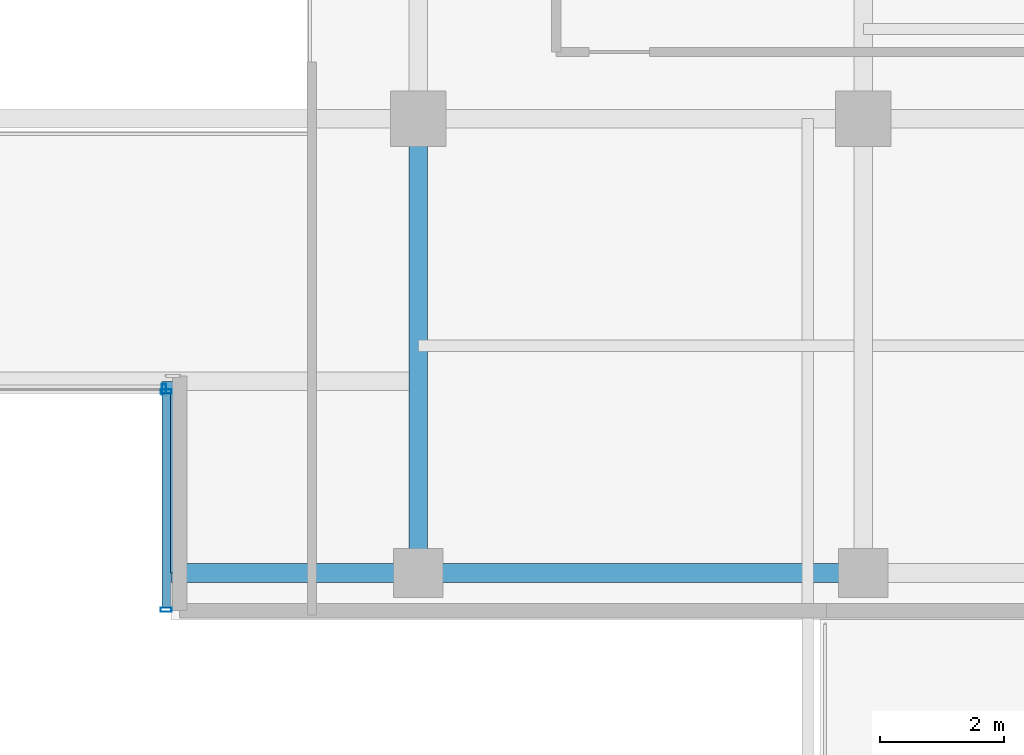
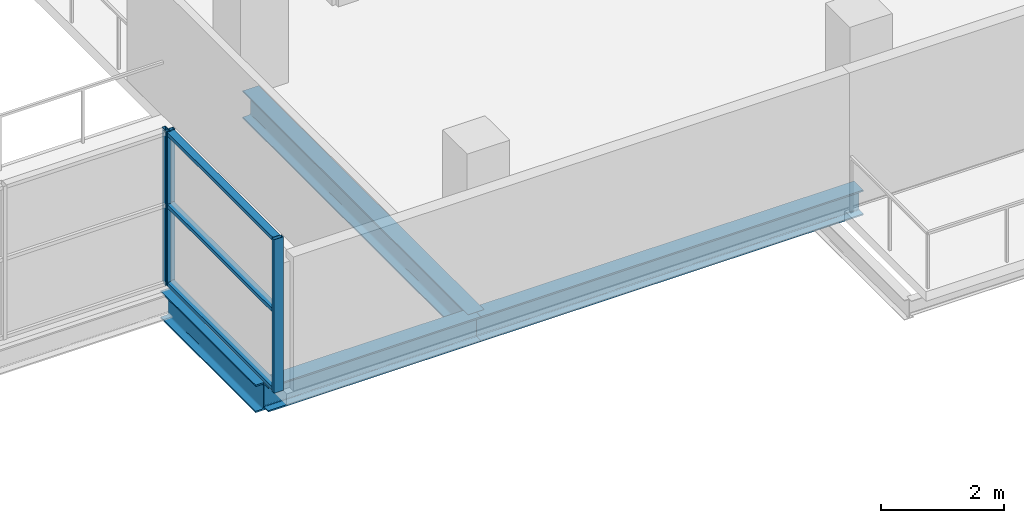
# One storey, part 11 of 25: 6 members, 4 beams, 2 elements without a shape of their own.
"""IFC4 building model written with IfcOpenShell, lengths in metres."""

from ifc_helpers import new_model, si_unit, direction, frame, origin, origin_2d, place, context, subcontext, project, spatial, hollow_rectangle, i_section, extrude, source, transform, mapped, material, layer, layer_set, material_profile, profile_set, type_object, element, aggregate, save


model = new_model("IFC4")

# Units and contexts
model_context = context("Model", 3, precision=1e-05, world=origin(), true_north=direction((0.0, 1.0)))
body_context = subcontext(model_context, "Body", "Model", "MODEL_VIEW")
ifc_project = project(units=[si_unit("LENGTHUNIT", "METRE"), si_unit("AREAUNIT", "SQUARE_METRE"), si_unit("VOLUMEUNIT", "CUBIC_METRE"), si_unit("PLANEANGLEUNIT", "RADIAN"), si_unit("MASSUNIT", "GRAM", prefix="KILO")], contexts=[model_context])

# Site, building, storey
site_placement = place(None, origin())
site = spatial("IfcSite", under=ifc_project, at=site_placement, CompositionType="ELEMENT")
building_placement = place(site_placement, origin())
building = spatial("IfcBuilding", under=site, at=building_placement, Name="Zarnakvel Exchange Tower", CompositionType="ELEMENT")
storey_placement = place(building_placement, frame((0.0, 0.0, 100.0)))
storey = spatial("IfcBuildingStorey", under=building, at=storey_placement, Name="L27", CompositionType="ELEMENT", Elevation=100.0)

# Beams
ifc_material_1 = material(Name="Steel S355", Category="steel")
ifc_material_profile_1 = material_profile(ifc_material_1, i_section(OverallWidth=0.300048828125, OverallDepth=0.550048828125, WebThickness=0.014892578125, FlangeThickness=0.029052734375, FilletRadius=0.027099609375, at=origin_2d()))
ifc_profile_set_1 = profile_set([ifc_material_profile_1], Name="Steel S355")
beam_type_1 = type_object("IfcBeamType", Name="G-05", PredefinedType="BEAM", material=ifc_profile_set_1)
beam_1_placement = place(storey_placement, frame((3.199951171875, -16.949951171875, -0.5), z_axis=(0.0, 1.0, 0.0), x_axis=(-1.0, 0.0, 0.0)))
element("IfcBeam", 1, at=beam_1_placement, inside=storey, type_object=beam_type_1, Name="L27 South Slot East Cheek Beam", PredefinedType="BEAM", context=body_context, shape_type="SweptSolid", body=[
    extrude(i_section(OverallWidth=0.300048828125, OverallDepth=0.550048828125, WebThickness=0.014892578125, FlangeThickness=0.029052734375, FilletRadius=0.027099609375, at=origin_2d()), origin(), (0.0, 0.0, 1.0), 3.099853515625),
])
beam_2_placement = place(storey_placement, frame((7.199951171875, -16.949951171875, -0.5), z_axis=(0.0, 1.0, 0.0), x_axis=(-1.0, 0.0, 0.0)))
element("IfcBeam", 2, at=beam_2_placement, inside=storey, type_object=beam_type_1, Name="L27 Tower N-S Frame Beam", PredefinedType="BEAM", context=body_context, shape_type="SweptSolid", body=[
    extrude(i_section(OverallWidth=0.300048828125, OverallDepth=0.550048828125, WebThickness=0.014892578125, FlangeThickness=0.029052734375, FilletRadius=0.027099609375, at=origin_2d()), origin(), (0.0, 0.0, 1.0), 7.349853515625),
])
ifc_material_profile_2 = material_profile(ifc_material_1, i_section(OverallWidth=0.300048828125, OverallDepth=0.5, WebThickness=0.014404296875, FlangeThickness=0.028076171875, FilletRadius=0.027099609375, at=origin_2d()))
ifc_profile_set_2 = profile_set([ifc_material_profile_2], Name="Steel S355")
beam_type_2 = type_object("IfcBeamType", Name="SP-02", PredefinedType="SPANDREL", material=ifc_profile_set_2)
beam_3_placement = place(storey_placement, frame((3.199951171875, -16.949951171875, -0.47509765625), z_axis=(1.0, 0.0, 0.0), x_axis=(0.0, 1.0, 0.0)))
element("IfcBeam", 3, at=beam_3_placement, inside=storey, type_object=beam_type_2, Name="L27 South Slot East Jamb Spandrel", PredefinedType="SPANDREL", context=body_context, shape_type="SweptSolid", body=[
    extrude(i_section(OverallWidth=0.300048828125, OverallDepth=0.5, WebThickness=0.014404296875, FlangeThickness=0.028076171875, FilletRadius=0.027099609375, at=origin_2d()), origin(), (0.0, 0.0, 1.0), 4.0),
])
beam_4_placement = place(storey_placement, frame((7.199951171875, -16.949951171875, -0.47509765625), z_axis=(1.0, 0.0, 0.0), x_axis=(0.0, 1.0, 0.0)))
element("IfcBeam", 4, at=beam_4_placement, inside=storey, type_object=beam_type_2, Name="L27 Tower E-W Frame Beam", PredefinedType="SPANDREL", context=body_context, shape_type="SweptSolid", body=[
    extrude(i_section(OverallWidth=0.300048828125, OverallDepth=0.5, WebThickness=0.014404296875, FlangeThickness=0.028076171875, FilletRadius=0.027099609375, at=origin_2d()), origin(), (0.0, 0.0, 1.0), 7.199951171875),
])

# Curtain wall, members
ifc_material_2 = material(Name="Architectural Bronze Anodised Aluminium", Category="aluminium")
ifc_layer = layer(ifc_material_2, 0.179931640625)
ifc_layer_set = layer_set([ifc_layer], Name="Architectural Bronze Anodised Aluminium")
curtain_wall_type = type_object("IfcCurtainWallType", Name="CW-05", PredefinedType="NOTDEFINED", material=ifc_layer_set)
curtain_wall_1_placement = place(storey_placement, origin())
curtain_wall_1 = element("IfcCurtainWall", 5, at=curtain_wall_1_placement, inside=storey, type_object=curtain_wall_type, Name="L27 Curtain Wall CW-L27-SLE (CW-05)", PredefinedType="NOTDEFINED")
ifc_material_profile_3 = material_profile(ifc_material_2, hollow_rectangle(XDim=0.139892578125, YDim=0.070068359375, WallThickness=0.00390625, at=origin_2d()))
ifc_profile_set_3 = profile_set([ifc_material_profile_3], Name="Architectural Bronze Anodised Aluminium")
member_type_1 = type_object("IfcMemberType", Name="CWT-05", PredefinedType="USERDEFINED", material=ifc_profile_set_3)
shared_shape_1 = source(origin(), body_context, "Body", "SweptSolid", [
    extrude(hollow_rectangle(XDim=0.139892578125, YDim=0.070068359375, WallThickness=0.00390625, at=origin_2d()), origin(), (0.0, 0.0, 1.0), 3.4599609375),
])
member_1_placement = place(storey_placement, frame((3.1201171875, -14.050048828125, 0.034912109375), z_axis=(0.0, -1.0, 0.0), x_axis=(1.0, 0.0, 0.0)))
member_1 = element("IfcMember", 6, at=member_1_placement, type_object=member_type_1, Name="CW-05 transom 1.1", ObjectType="TRANSOM", PredefinedType="USERDEFINED", context=body_context, shape_type="MappedRepresentation", body=[
    mapped(shared_shape_1, transform((0.0, 0.0, 0.0), x_axis=(1.0, 0.0, 0.0), y_axis=(0.0, 1.0, 0.0), z_axis=(0.0, 0.0, 1.0), scale=1.0)),
])
member_2_placement = place(storey_placement, frame((3.1201171875, -14.050048828125, 1.588623046875), z_axis=(0.0, -1.0, 0.0), x_axis=(1.0, 0.0, 0.0)))
member_2 = element("IfcMember", 7, at=member_2_placement, type_object=member_type_1, Name="CW-05 transom 1.2", ObjectType="TRANSOM", PredefinedType="USERDEFINED", context=body_context, shape_type="MappedRepresentation", body=[
    mapped(shared_shape_1, transform((0.0, 0.0, 0.0), x_axis=(1.0, 0.0, 0.0), y_axis=(0.0, 1.0, 0.0), z_axis=(0.0, 0.0, 1.0), scale=1.0)),
])
member_3_placement = place(storey_placement, frame((3.1201171875, -14.050048828125, 3.02001953125), z_axis=(0.0, -1.0, 0.0), x_axis=(1.0, 0.0, 0.0)))
member_3 = element("IfcMember", 8, at=member_3_placement, type_object=member_type_1, Name="CW-05 transom 1.3", ObjectType="TRANSOM", PredefinedType="USERDEFINED", context=body_context, shape_type="MappedRepresentation", body=[
    mapped(shared_shape_1, transform((0.0, 0.0, 0.0), x_axis=(1.0, 0.0, 0.0), y_axis=(0.0, 1.0, 0.0), z_axis=(0.0, 0.0, 1.0), scale=1.0)),
])

# Curtain wall, member
curtain_wall_2_placement = place(storey_placement, origin())
curtain_wall_2 = element("IfcCurtainWall", 9, at=curtain_wall_2_placement, inside=storey, type_object=curtain_wall_type, Name="L27 Curtain Wall CW-L27-SLB (CW-05)", PredefinedType="NOTDEFINED")
ifc_material_profile_4 = material_profile(ifc_material_2, hollow_rectangle(XDim=0.179931640625, YDim=0.070068359375, WallThickness=0.00390625, at=origin_2d()))
ifc_profile_set_4 = profile_set([ifc_material_profile_4], Name="Architectural Bronze Anodised Aluminium")
member_type_2 = type_object("IfcMemberType", Name="CWM-05", PredefinedType="MULLION", material=ifc_profile_set_4)
shared_shape_2 = source(origin(), body_context, "Body", "SweptSolid", [
    extrude(hollow_rectangle(XDim=0.179931640625, YDim=0.070068359375, WallThickness=0.00390625, at=origin_2d()), origin(), (0.0, 0.0, 1.0), 3.054931640625),
])
member_4_placement = place(storey_placement, frame((3.0849609375, -13.97998046875, 0.0), z_axis=(0.0, 0.0, 1.0), x_axis=(0.0, 1.0, 0.0)))
member_4 = element("IfcMember", 10, at=member_4_placement, type_object=member_type_2, Name="CW-05 mullion 3", PredefinedType="MULLION", context=body_context, shape_type="MappedRepresentation", body=[
    mapped(shared_shape_2, transform((0.0, 0.0, 0.0), x_axis=(1.0, 0.0, 0.0), y_axis=(0.0, 1.0, 0.0), z_axis=(0.0, 0.0, 1.0), scale=1.0)),
])
aggregate(curtain_wall_2, [member_4])

# Member
member_5_placement = place(storey_placement, frame((3.1201171875, -14.014892578125, 0.0), z_axis=(0.0, 0.0, 1.0), x_axis=(1.0, 0.0, 0.0)))
member_5 = element("IfcMember", 11, at=member_5_placement, type_object=member_type_2, Name="CW-05 mullion 1", PredefinedType="MULLION", context=body_context, shape_type="MappedRepresentation", body=[
    mapped(shared_shape_2, transform((0.0, 0.0, 0.0), x_axis=(1.0, 0.0, 0.0), y_axis=(0.0, 1.0, 0.0), z_axis=(0.0, 0.0, 1.0), scale=1.0)),
])

member_6_placement = place(storey_placement, frame((3.1201171875, -17.544921875, 0.0), z_axis=(0.0, 0.0, 1.0), x_axis=(1.0, 0.0, 0.0)))
member_6 = element("IfcMember", 12, at=member_6_placement, type_object=member_type_2, Name="CW-05 mullion 2", PredefinedType="MULLION", context=body_context, shape_type="MappedRepresentation", body=[
    mapped(shared_shape_2, transform((0.0, 0.0, 0.0), x_axis=(1.0, 0.0, 0.0), y_axis=(0.0, 1.0, 0.0), z_axis=(0.0, 0.0, 1.0), scale=1.0)),
])

aggregate(curtain_wall_1, [member_5, member_6, member_1, member_2, member_3])

save(model, "model.ifc")
